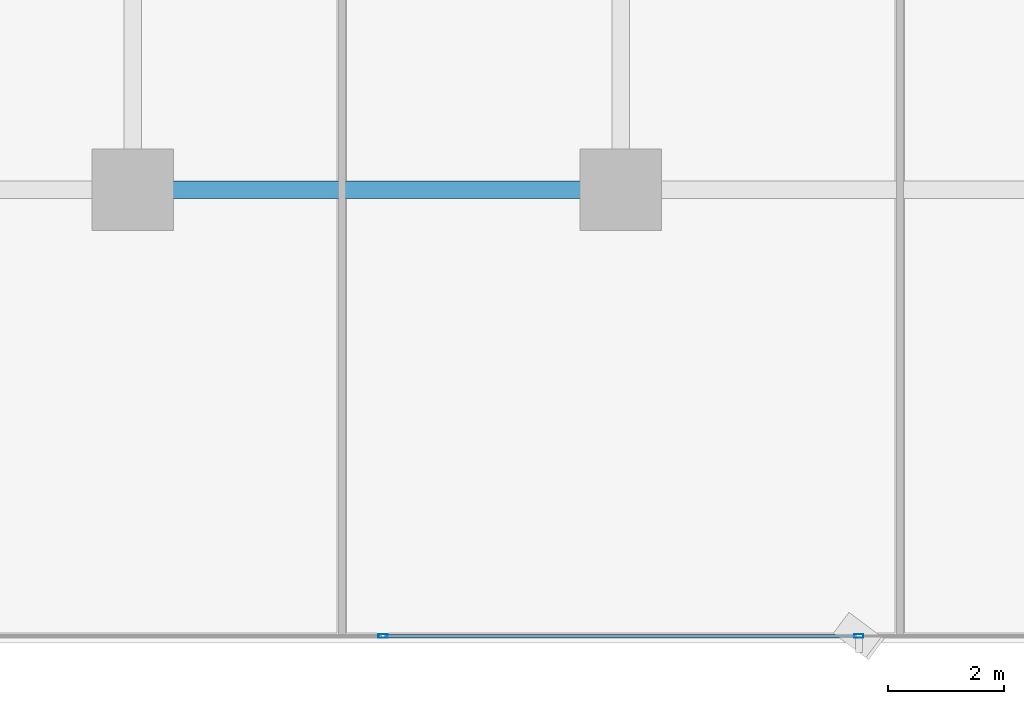
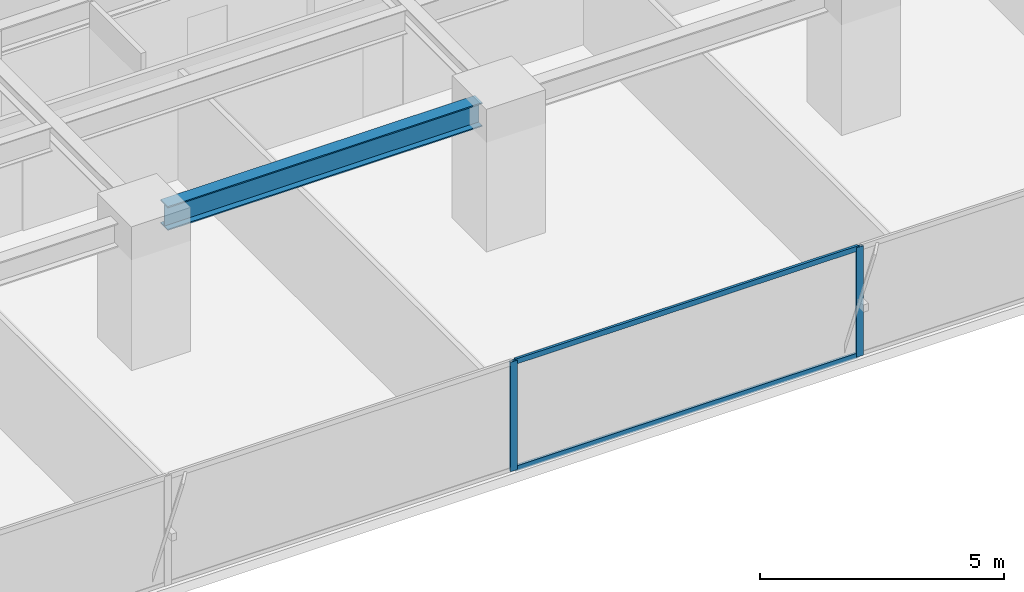
# One storey, part 6 of 36: 4 members, 1 beam, 1 element without a shape of its own.
"""IFC4 building model written with IfcOpenShell, lengths in metres."""

from ifc_helpers import new_model, si_unit, direction, frame, origin, origin_2d, place, context, subcontext, project, spatial, hollow_rectangle, i_section, extrude, source, transform, mapped, material, layer, layer_set, material_profile, profile_set, type_object, element, aggregate, save


model = new_model("IFC4")

# Units and contexts
model_context = context("Model", 3, precision=1e-05, world=origin(), true_north=direction((0.0, 1.0)))
body_context = subcontext(model_context, "Body", "Model", "MODEL_VIEW")
ifc_project = project(units=[si_unit("LENGTHUNIT", "METRE"), si_unit("AREAUNIT", "SQUARE_METRE"), si_unit("VOLUMEUNIT", "CUBIC_METRE"), si_unit("PLANEANGLEUNIT", "RADIAN"), si_unit("MASSUNIT", "GRAM", prefix="KILO")], contexts=[model_context])

# Site, building, storey
site_placement = place(None, origin())
site = spatial("IfcSite", under=ifc_project, at=site_placement, CompositionType="ELEMENT")
building_placement = place(site_placement, origin())
building = spatial("IfcBuilding", under=site, at=building_placement, Name="Sumidabori Civic Tower", CompositionType="ELEMENT")
storey_placement = place(building_placement, frame((0.0, 0.0, 84.800048828125)))
storey = spatial("IfcBuildingStorey", under=building, at=storey_placement, Name="L21", CompositionType="ELEMENT", Elevation=84.800048828125)

# Beam
ifc_material_1 = material(Name="Steel SN490", Category="steel")
ifc_material_profile_1 = material_profile(ifc_material_1, i_section(OverallWidth=0.300048828125, OverallDepth=0.60009765625, WebThickness=0.015380859375, FlangeThickness=0.030029296875, at=origin_2d()), Name="HE 600 B")
ifc_profile_set_1 = profile_set([ifc_material_profile_1], Name="Steel SN490")
beam_type = type_object("IfcBeamType", Name="BM-GIRD-600", PredefinedType="BEAM", material=ifc_profile_set_1)
shared_shape_1 = source(origin(), body_context, "Body", "SweptSolid", [
    extrude(i_section(OverallWidth=0.300048828125, OverallDepth=0.60009765625, WebThickness=0.015380859375, FlangeThickness=0.030029296875, at=origin_2d()), origin(), (0.0, 0.0, 1.0), 7.43994140625),
])
beam_placement = place(storey_placement, frame((-7.919921875, -18.0, 3.06005859375), z_axis=(1.0, 0.0, 0.0), x_axis=(0.0, 1.0, 0.0)))
element("IfcBeam", 1, at=beam_placement, inside=storey, type_object=beam_type, Name="Primary Girder L21 GX-03", PredefinedType="BEAM", context=body_context, shape_type="MappedRepresentation", body=[
    mapped(shared_shape_1, transform((0.0, 0.0, 0.0), x_axis=(1.0, 0.0, 0.0), y_axis=(0.0, 1.0, 0.0), z_axis=(0.0, 0.0, 1.0), scale=1.0)),
])

# Curtain wall, members
ifc_material_2 = material(Name="Anodised Bronze Aluminium AW-6063-T6", Category="aluminium")
ifc_layer = layer(ifc_material_2, 0.179931640625, Name="Anodised Bronze Aluminium AW-6063-T6")
ifc_layer_set = layer_set([ifc_layer], Name="Anodised Bronze Aluminium AW-6063-T6")
curtain_wall_type = type_object("IfcCurtainWallType", Name="CW-SYS-3", PredefinedType="NOTDEFINED", material=ifc_layer_set)
curtain_wall_placement = place(storey_placement, origin())
curtain_wall = element("IfcCurtainWall", 2, at=curtain_wall_placement, inside=storey, type_object=curtain_wall_type, Name="Curtain Wall CW:L21:R01", PredefinedType="NOTDEFINED")
ifc_material_profile_2 = material_profile(ifc_material_2, hollow_rectangle(XDim=0.06494140625, YDim=0.159912109375, WallThickness=0.0048828125, at=origin_2d()), Name="ALU MULLION 160x65")
ifc_profile_set_2 = profile_set([ifc_material_profile_2], Name="Anodised Bronze Aluminium AW-6063-T6")
member_type_1 = type_object("IfcMemberType", Name="CW-MUL-160", PredefinedType="MULLION", material=ifc_profile_set_2)
shared_shape_2 = source(origin(), body_context, "Body", "SweptSolid", [
    extrude(hollow_rectangle(XDim=0.06494140625, YDim=0.159912109375, WallThickness=0.0048828125, at=origin_2d()), origin(), (0.0, 0.0, 1.0), 2.739990234375),
])
member_1_placement = place(storey_placement, frame((-4.093994140625, -25.679931640625, 0.0), z_axis=(0.0, 0.0, 1.0), x_axis=(0.0, 1.0, 0.0)))
member_1 = element("IfcMember", 3, at=member_1_placement, type_object=member_type_1, Name="CW-3 mullion 3", PredefinedType="MULLION", context=body_context, shape_type="MappedRepresentation", body=[
    mapped(shared_shape_2, transform((0.0, 0.0, 0.0), x_axis=(1.0, 0.0, 0.0), y_axis=(0.0, 1.0, 0.0), z_axis=(0.0, 0.0, 1.0), scale=1.0)),
])
member_2_placement = place(storey_placement, frame((4.093994140625, -25.679931640625, 0.0), z_axis=(0.0, 0.0, 1.0), x_axis=(0.0, 1.0, 0.0)))
member_2 = element("IfcMember", 4, at=member_2_placement, type_object=member_type_1, Name="CW-3 mullion 4", PredefinedType="MULLION", context=body_context, shape_type="MappedRepresentation", body=[
    mapped(shared_shape_2, transform((0.0, 0.0, 0.0), x_axis=(1.0, 0.0, 0.0), y_axis=(0.0, 1.0, 0.0), z_axis=(0.0, 0.0, 1.0), scale=1.0)),
])
ifc_material_profile_3 = material_profile(ifc_material_2, hollow_rectangle(XDim=0.06005859375, YDim=0.1298828125, WallThickness=0.0048828125, at=origin_2d()), Name="ALU TRANSOM 130x60")
ifc_profile_set_3 = profile_set([ifc_material_profile_3], Name="Anodised Bronze Aluminium AW-6063-T6")
member_type_2 = type_object("IfcMemberType", Name="CW-TRN-130", PredefinedType="USERDEFINED", material=ifc_profile_set_3)
shared_shape_3 = source(origin(), body_context, "Body", "SweptSolid", [
    extrude(hollow_rectangle(XDim=0.06005859375, YDim=0.1298828125, WallThickness=0.0048828125, at=origin_2d()), origin(), (0.0, 0.0, 1.0), 8.123046875),
])
member_3_placement = place(storey_placement, frame((-4.0615234375, -25.679931640625, 0.030029296875), z_axis=(1.0, 0.0, 0.0), x_axis=(0.0, 1.0, 0.0)))
member_3 = element("IfcMember", 5, at=member_3_placement, type_object=member_type_2, Name="CW-3 transom 3.1", ObjectType="TRANSOM", PredefinedType="USERDEFINED", context=body_context, shape_type="MappedRepresentation", body=[
    mapped(shared_shape_3, transform((0.0, 0.0, 0.0), x_axis=(1.0, 0.0, 0.0), y_axis=(0.0, 1.0, 0.0), z_axis=(0.0, 0.0, 1.0), scale=1.0)),
])
member_4_placement = place(storey_placement, frame((-4.0615234375, -25.679931640625, 2.7099609375), z_axis=(1.0, 0.0, 0.0), x_axis=(0.0, 1.0, 0.0)))
member_4 = element("IfcMember", 6, at=member_4_placement, type_object=member_type_2, Name="CW-3 transom 3.2", ObjectType="TRANSOM", PredefinedType="USERDEFINED", context=body_context, shape_type="MappedRepresentation", body=[
    mapped(shared_shape_3, transform((0.0, 0.0, 0.0), x_axis=(1.0, 0.0, 0.0), y_axis=(0.0, 1.0, 0.0), z_axis=(0.0, 0.0, 1.0), scale=1.0)),
])
aggregate(curtain_wall, [member_1, member_2, member_3, member_4])

save(model, "model.ifc")
